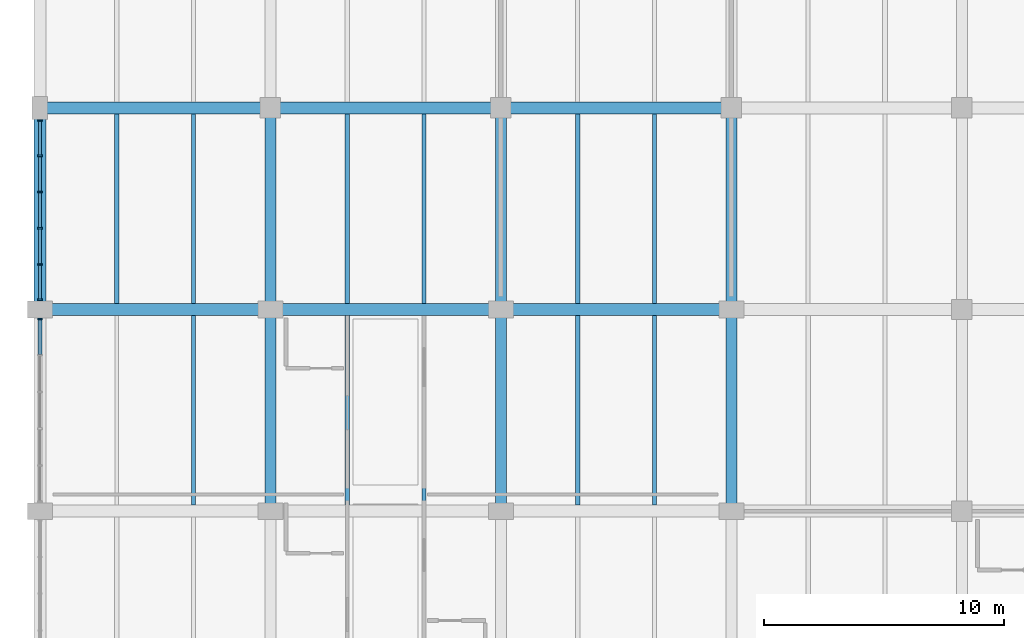
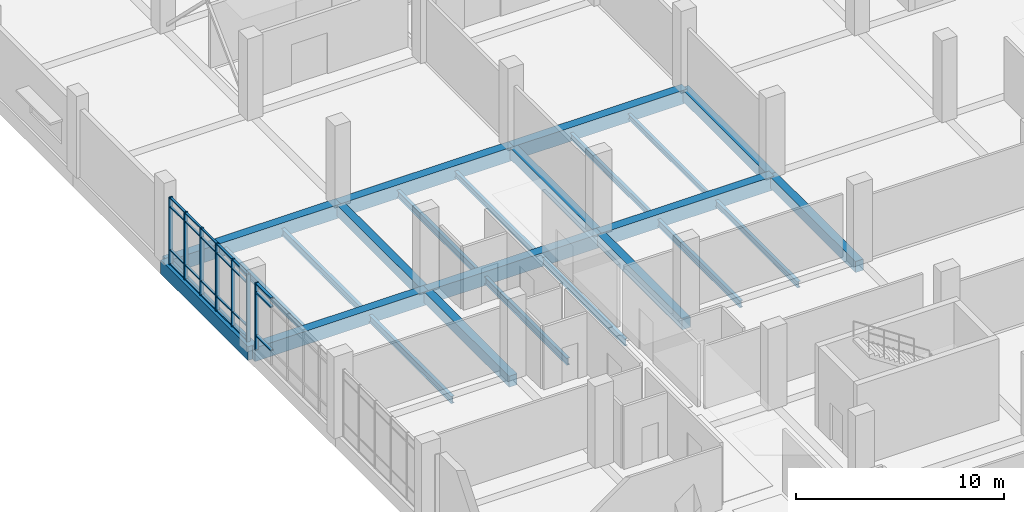
# One storey, part 26 of 152: 30 members, 24 beams, 2 elements without a shape of their own.
"""IFC4 building model written with IfcOpenShell, lengths in metres."""

from ifc_helpers import new_model, si_unit, direction, frame, origin, origin_2d, place, context, subcontext, project, spatial, rectangle, i_section, extrude, material, material_profile, profile_set, type_object, element, aggregate, save


model = new_model("IFC4")

# Units and contexts
model_context = context("Model", 3, precision=1e-05, world=origin(), true_north=direction((0.0, 1.0)))
body_context = subcontext(model_context, "Body", "Model", "MODEL_VIEW")
ifc_project = project(units=[si_unit("LENGTHUNIT", "METRE"), si_unit("AREAUNIT", "SQUARE_METRE"), si_unit("VOLUMEUNIT", "CUBIC_METRE"), si_unit("PLANEANGLEUNIT", "RADIAN"), si_unit("MASSUNIT", "GRAM", prefix="KILO")], contexts=[model_context])

# Site, building, storey
site_placement = place(None, origin())
site = spatial("IfcSite", under=ifc_project, at=site_placement, CompositionType="ELEMENT")
building_placement = place(site_placement, origin())
building = spatial("IfcBuilding", under=site, at=building_placement, Name="Oolite Switchyard Hospital", CompositionType="ELEMENT")
storey_placement = place(building_placement, frame((0.0, 0.0, 5.10009765625)))
storey = spatial("IfcBuildingStorey", under=building, at=storey_placement, Name="L01", CompositionType="ELEMENT", Elevation=5.10009765625)

# Beams
ifc_material_1 = material(Name="Concrete C40/50", Category="concrete")
ifc_material_profile_1 = material_profile(ifc_material_1, rectangle(XDim=0.449951171875, YDim=0.64990234375, at=origin_2d()), Name="RCB450X650")
ifc_profile_set_1 = profile_set([ifc_material_profile_1], Name="Concrete C40/50")
beam_type_1 = type_object("IfcBeamType", Name="BM-RC450X650", PredefinedType="BEAM", material=ifc_profile_set_1)
for number, where, z_axis, x_axis, name in (
    (1, (9.60009765625, 75.60009765625, -0.3251953125), (0.0, 1.0, 0.0), (-1.0, 0.0, 0.0), "L01 Y-Girder 311"),
    (2, (9.60009765625, 84.0, -0.3251953125), (0.0, 1.0, 0.0), (-1.0, 0.0, 0.0), "L01 Y-Girder 312"),
    (3, (19.199951171875, 75.60009765625, -0.3251953125), (0.0, 1.0, 0.0), (-1.0, 0.0, 0.0), "L01 Y-Girder 327"),
    (4, (19.199951171875, 84.0, -0.3251953125), (0.0, 1.0, 0.0), (-1.0, 0.0, 0.0), "L01 Y-Girder 328"),
    (5, (28.800048828125, 75.60009765625, -0.3251953125), (0.0, 1.0, 0.0), (-1.0, 0.0, 0.0), "L01 Y-Girder 343"),
    (6, (28.800048828125, 84.0, -0.3251953125), (0.0, 1.0, 0.0), (-1.0, 0.0, 0.0), "L01 Y-Girder 344"),
):
    element("IfcBeam", number, at=place(storey_placement, frame(where, z_axis=z_axis, x_axis=x_axis)), inside=storey, type_object=beam_type_1, Name=name, PredefinedType="BEAM", context=body_context, shape_type="SweptSolid", body=[
        extrude(rectangle(XDim=0.449951171875, YDim=0.64990234375, at=origin_2d()), origin(), (0.0, 0.0, 1.0), 8.39990234375),
    ])
ifc_material_profile_2 = material_profile(ifc_material_1, rectangle(XDim=0.5, YDim=0.800048828125, at=origin_2d()), Name="RCB500X800")
ifc_profile_set_2 = profile_set([ifc_material_profile_2], Name="Concrete C40/50")
beam_type_2 = type_object("IfcBeamType", Name="BM-RC500X800", PredefinedType="BEAM", material=ifc_profile_set_2)
beam_1_placement = place(storey_placement, frame((0.0, 84.0, -0.400146484375), z_axis=(1.0, 0.0, 0.0), x_axis=(0.0, 1.0, 0.0)))
element("IfcBeam", 7, at=beam_1_placement, inside=storey, type_object=beam_type_2, Name="L01 X-Girder 163", PredefinedType="BEAM", context=body_context, shape_type="SweptSolid", body=[
    extrude(rectangle(XDim=0.5, YDim=0.800048828125, at=origin_2d()), origin(), (0.0, 0.0, 1.0), 9.60009765625),
])
beam_2_placement = place(storey_placement, frame((9.60009765625, 84.0, -0.400146484375), z_axis=(1.0, 0.0, 0.0), x_axis=(0.0, 1.0, 0.0)))
element("IfcBeam", 8, at=beam_2_placement, inside=storey, type_object=beam_type_2, Name="L01 X-Girder 164", PredefinedType="BEAM", context=body_context, shape_type="SweptSolid", body=[
    extrude(rectangle(XDim=0.5, YDim=0.800048828125, at=origin_2d()), origin(), (0.0, 0.0, 1.0), 9.599853515625),
])
for number, where, z_axis, x_axis, name in (
    (9, (19.199951171875, 84.0, -0.400146484375), (1.0, 0.0, 0.0), (0.0, 1.0, 0.0), "L01 X-Girder 165"),
    (10, (0.0, 92.39990234375, -0.400146484375), (1.0, 0.0, 0.0), (0.0, 1.0, 0.0), "L01 X-Girder 181"),
):
    element("IfcBeam", number, at=place(storey_placement, frame(where, z_axis=z_axis, x_axis=x_axis)), inside=storey, type_object=beam_type_2, Name=name, PredefinedType="BEAM", context=body_context, shape_type="SweptSolid", body=[
        extrude(rectangle(XDim=0.5, YDim=0.800048828125, at=origin_2d()), origin(), (0.0, 0.0, 1.0), 9.60009765625),
    ])
beam_3_placement = place(storey_placement, frame((9.60009765625, 92.39990234375, -0.400146484375), z_axis=(1.0, 0.0, 0.0), x_axis=(0.0, 1.0, 0.0)))
element("IfcBeam", 11, at=beam_3_placement, inside=storey, type_object=beam_type_2, Name="L01 X-Girder 182", PredefinedType="BEAM", context=body_context, shape_type="SweptSolid", body=[
    extrude(rectangle(XDim=0.5, YDim=0.800048828125, at=origin_2d()), origin(), (0.0, 0.0, 1.0), 9.599853515625),
])
beam_4_placement = place(storey_placement, frame((19.199951171875, 92.39990234375, -0.400146484375), z_axis=(1.0, 0.0, 0.0), x_axis=(0.0, 1.0, 0.0)))
element("IfcBeam", 12, at=beam_4_placement, inside=storey, type_object=beam_type_2, Name="L01 X-Girder 183", PredefinedType="BEAM", context=body_context, shape_type="SweptSolid", body=[
    extrude(rectangle(XDim=0.5, YDim=0.800048828125, at=origin_2d()), origin(), (0.0, 0.0, 1.0), 9.60009765625),
])
beam_5_placement = place(storey_placement, frame((0.0, 84.0, -0.400146484375), z_axis=(0.0, 1.0, 0.0), x_axis=(-1.0, 0.0, 0.0)))
element("IfcBeam", 13, at=beam_5_placement, inside=storey, type_object=beam_type_2, Name="L01 Y-Girder 297", PredefinedType="BEAM", context=body_context, shape_type="SweptSolid", body=[
    extrude(rectangle(XDim=0.5, YDim=0.800048828125, at=origin_2d()), origin(), (0.0, 0.0, 1.0), 8.39990234375),
])
ifc_material_2 = material(Name="Steel ASTM A992 Grade 50", Category="steel")
ifc_material_profile_3 = material_profile(ifc_material_2, i_section(OverallWidth=0.1650390625, OverallDepth=0.31005859375, WebThickness=0.006103515625, FlangeThickness=0.010009765625, at=origin_2d()), Name="W12X26")
ifc_profile_set_3 = profile_set([ifc_material_profile_3], Name="Steel ASTM A992 Grade 50")
beam_type_3 = type_object("IfcBeamType", Name="BM-W12X26", PredefinedType="JOIST", material=ifc_profile_set_3)
beam_6_placement = place(storey_placement, frame((25.60009765625, 84.25, -0.455078125), z_axis=(0.0, 1.0, 0.0), x_axis=(-1.0, 0.0, 0.0)))
element("IfcBeam", 14, at=beam_6_placement, inside=storey, type_object=beam_type_3, Name="L01 Secondary Steel Joist 639", PredefinedType="JOIST", context=body_context, shape_type="SweptSolid", body=[
    extrude(i_section(OverallWidth=0.1650390625, OverallDepth=0.31005859375, WebThickness=0.006103515625, FlangeThickness=0.010009765625, at=origin_2d()), origin(), (0.0, 0.0, 1.0), 7.89990234375),
])
ifc_material_profile_4 = material_profile(ifc_material_2, i_section(OverallWidth=0.1708984375, OverallDepth=0.35107421875, WebThickness=0.007080078125, FlangeThickness=0.010009765625, at=origin_2d()), Name="W14X30")
ifc_profile_set_4 = profile_set([ifc_material_profile_4], Name="Steel ASTM A992 Grade 50")
beam_type_4 = type_object("IfcBeamType", Name="BM-W14X30", PredefinedType="JOIST", material=ifc_profile_set_4)
for number, where, z_axis, x_axis, name in (
    (15, (16.0, 84.25, -0.47607421875), (0.0, 1.0, 0.0), (-1.0, 0.0, 0.0), "L01 Secondary Steel Joist 611"),
    (16, (25.60009765625, 75.85009765625, -0.4501953125), (0.0, 1.0, 0.0), (-1.0, 0.0, 0.0), "L01 Secondary Steel Joist 637"),
    (17, (22.39990234375, 84.25, -0.47607421875), (0.0, 1.0, 0.0), (-1.0, 0.0, 0.0), "L01 Secondary Steel Joist 638"),
):
    element("IfcBeam", number, at=place(storey_placement, frame(where, z_axis=z_axis, x_axis=x_axis)), inside=storey, type_object=beam_type_4, Name=name, PredefinedType="JOIST", context=body_context, shape_type="SweptSolid", body=[
        extrude(i_section(OverallWidth=0.1708984375, OverallDepth=0.35107421875, WebThickness=0.007080078125, FlangeThickness=0.010009765625, at=origin_2d()), origin(), (0.0, 0.0, 1.0), 7.89990234375),
    ])
ifc_material_profile_5 = material_profile(ifc_material_2, i_section(OverallWidth=0.177978515625, OverallDepth=0.403076171875, WebThickness=0.008056640625, FlangeThickness=0.010986328125, at=origin_2d()), Name="W16X36")
ifc_profile_set_5 = profile_set([ifc_material_profile_5], Name="Steel ASTM A992 Grade 50")
beam_type_5 = type_object("IfcBeamType", Name="BM-W16X36", PredefinedType="JOIST", material=ifc_profile_set_5)
for number, where, z_axis, x_axis, name in (
    (18, (6.39990234375, 84.25, -0.502197265625), (0.0, 1.0, 0.0), (-1.0, 0.0, 0.0), "L01 Secondary Steel Joist 581"),
    (19, (16.0, 75.85009765625, -0.47705078125), (0.0, 1.0, 0.0), (-1.0, 0.0, 0.0), "L01 Secondary Steel Joist 609"),
    (20, (12.800048828125, 84.25, -0.502197265625), (0.0, 1.0, 0.0), (-1.0, 0.0, 0.0), "L01 Secondary Steel Joist 610"),
    (21, (22.39990234375, 75.85009765625, -0.47705078125), (0.0, 1.0, 0.0), (-1.0, 0.0, 0.0), "L01 Secondary Steel Joist 636"),
):
    element("IfcBeam", number, at=place(storey_placement, frame(where, z_axis=z_axis, x_axis=x_axis)), inside=storey, type_object=beam_type_5, Name=name, PredefinedType="JOIST", context=body_context, shape_type="SweptSolid", body=[
        extrude(i_section(OverallWidth=0.177978515625, OverallDepth=0.403076171875, WebThickness=0.008056640625, FlangeThickness=0.010986328125, at=origin_2d()), origin(), (0.0, 0.0, 1.0), 7.89990234375),
    ])
ifc_material_profile_6 = material_profile(ifc_material_2, i_section(OverallWidth=0.179931640625, OverallDepth=0.4130859375, WebThickness=0.010009765625, FlangeThickness=0.01611328125, at=origin_2d()), Name="W16X50")
ifc_profile_set_6 = profile_set([ifc_material_profile_6], Name="Steel ASTM A992 Grade 50")
beam_type_6 = type_object("IfcBeamType", Name="BM-W16X50", PredefinedType="JOIST", material=ifc_profile_set_6)
for number, where, z_axis, x_axis, name in (
    (22, (6.39990234375, 75.85009765625, -0.482177734375), (0.0, 1.0, 0.0), (-1.0, 0.0, 0.0), "L01 Secondary Steel Joist 579"),
    (23, (3.199951171875, 84.25, -0.506103515625), (0.0, 1.0, 0.0), (-1.0, 0.0, 0.0), "L01 Secondary Steel Joist 580"),
    (24, (12.800048828125, 75.85009765625, -0.482177734375), (0.0, 1.0, 0.0), (-1.0, 0.0, 0.0), "L01 Secondary Steel Joist 608"),
):
    element("IfcBeam", number, at=place(storey_placement, frame(where, z_axis=z_axis, x_axis=x_axis)), inside=storey, type_object=beam_type_6, Name=name, PredefinedType="JOIST", context=body_context, shape_type="SweptSolid", body=[
        extrude(i_section(OverallWidth=0.179931640625, OverallDepth=0.4130859375, WebThickness=0.010009765625, FlangeThickness=0.01611328125, at=origin_2d()), origin(), (0.0, 0.0, 1.0), 7.89990234375),
    ])

# Curtain wall, member
ifc_material_3 = material(Name="Thermally broken aluminum frame with laminated impact glazing", Category="aluminium")
curtain_wall_type = type_object("IfcCurtainWallType", Name="CW-UNIT-84X48", PredefinedType="USERDEFINED", material=ifc_material_3)
curtain_wall_1_placement = place(storey_placement, origin())
curtain_wall_1 = element("IfcCurtainWall", 25, at=curtain_wall_1_placement, inside=storey, type_object=curtain_wall_type, Name="L01 Unitised Curtain Wall 165", ObjectType="UNITISED", PredefinedType="USERDEFINED")
ifc_material_4 = material(Name="Aluminium 6063-T6", Category="aluminium")
ifc_material_profile_7 = material_profile(ifc_material_4, rectangle(XDim=0.179931640625, YDim=0.070068359375, at=origin_2d()), Name="CWM70X180")
ifc_profile_set_7 = profile_set([ifc_material_profile_7], Name="Aluminium 6063-T6")
member_type_1 = type_object("IfcMemberType", Name="CW-MUL-220", PredefinedType="MULLION", material=ifc_profile_set_7)
member_1_placement = place(storey_placement, frame((0.0, 83.60009765625, 0.0), z_axis=(0.0, 0.0, 1.0), x_axis=(-1.0, 0.0, 0.0)))
member_1 = element("IfcMember", 26, at=member_1_placement, type_object=member_type_1, Name="CW-07 mullion 6", PredefinedType="MULLION", context=body_context, shape_type="SweptSolid", body=[
    extrude(rectangle(XDim=0.179931640625, YDim=0.070068359375, at=origin_2d()), origin(), (0.0, 0.0, 1.0), 3.93994140625),
])

# Curtain wall, members
curtain_wall_2_placement = place(storey_placement, origin())
curtain_wall_2 = element("IfcCurtainWall", 27, at=curtain_wall_2_placement, inside=storey, type_object=curtain_wall_type, Name="L01 Unitised Curtain Wall 166", ObjectType="UNITISED", PredefinedType="USERDEFINED")
ifc_material_profile_8 = material_profile(ifc_material_4, rectangle(XDim=0.199951171875, YDim=0.074951171875, at=origin_2d()), Name="CWM75X200")
ifc_profile_set_8 = profile_set([ifc_material_profile_8], Name="Aluminium 6063-T6")
member_type_2 = type_object("IfcMemberType", Name="CW-MUL-260", PredefinedType="MULLION", material=ifc_profile_set_8)
member_2_placement = place(storey_placement, frame((0.0, 84.402587890625, 0.0), z_axis=(0.0, 0.0, 1.0), x_axis=(-1.0, 0.0, 0.0)))
member_2 = element("IfcMember", 28, at=member_2_placement, type_object=member_type_2, Name="CW-07 mullion 1", PredefinedType="MULLION", context=body_context, shape_type="SweptSolid", body=[
    extrude(rectangle(XDim=0.199951171875, YDim=0.074951171875, at=origin_2d()), origin(), (0.0, 0.0, 1.0), 3.93994140625),
])
member_3_placement = place(storey_placement, frame((0.0, 85.8740234375, 0.0), z_axis=(0.0, 0.0, 1.0), x_axis=(-1.0, 0.0, 0.0)))
member_3 = element("IfcMember", 29, at=member_3_placement, type_object=member_type_2, Name="CW-07 mullion 2", PredefinedType="MULLION", context=body_context, shape_type="SweptSolid", body=[
    extrude(rectangle(XDim=0.199951171875, YDim=0.074951171875, at=origin_2d()), origin(), (0.0, 0.0, 1.0), 3.93994140625),
])
member_4_placement = place(storey_placement, frame((0.0, 87.383056640625, 0.0), z_axis=(0.0, 0.0, 1.0), x_axis=(-1.0, 0.0, 0.0)))
member_4 = element("IfcMember", 30, at=member_4_placement, type_object=member_type_2, Name="CW-07 mullion 3", PredefinedType="MULLION", context=body_context, shape_type="SweptSolid", body=[
    extrude(rectangle(XDim=0.199951171875, YDim=0.074951171875, at=origin_2d()), origin(), (0.0, 0.0, 1.0), 3.93994140625),
])
member_5_placement = place(storey_placement, frame((0.0, 88.89208984375, 0.0), z_axis=(0.0, 0.0, 1.0), x_axis=(-1.0, 0.0, 0.0)))
member_5 = element("IfcMember", 31, at=member_5_placement, type_object=member_type_2, Name="CW-07 mullion 4", PredefinedType="MULLION", context=body_context, shape_type="SweptSolid", body=[
    extrude(rectangle(XDim=0.199951171875, YDim=0.074951171875, at=origin_2d()), origin(), (0.0, 0.0, 1.0), 3.93994140625),
])
member_6_placement = place(storey_placement, frame((0.0, 90.40087890625, 0.0), z_axis=(0.0, 0.0, 1.0), x_axis=(-1.0, 0.0, 0.0)))
member_6 = element("IfcMember", 32, at=member_6_placement, type_object=member_type_2, Name="CW-07 mullion 5", PredefinedType="MULLION", context=body_context, shape_type="SweptSolid", body=[
    extrude(rectangle(XDim=0.199951171875, YDim=0.074951171875, at=origin_2d()), origin(), (0.0, 0.0, 1.0), 3.93994140625),
])
member_7_placement = place(storey_placement, frame((0.0, 91.87255859375, 0.0), z_axis=(0.0, 0.0, 1.0), x_axis=(-1.0, 0.0, 0.0)))
member_7 = element("IfcMember", 33, at=member_7_placement, type_object=member_type_2, Name="CW-07 mullion 6", PredefinedType="MULLION", context=body_context, shape_type="SweptSolid", body=[
    extrude(rectangle(XDim=0.199951171875, YDim=0.074951171875, at=origin_2d()), origin(), (0.0, 0.0, 1.0), 3.93994140625),
])
ifc_material_profile_9 = material_profile(ifc_material_4, rectangle(XDim=0.1201171875, YDim=0.06005859375, at=origin_2d()), Name="CWT60X120")
ifc_profile_set_9 = profile_set([ifc_material_profile_9], Name="Aluminium 6063-T6")
member_type_3 = type_object("IfcMemberType", Name="CW-TRN-150", PredefinedType="USERDEFINED", material=ifc_profile_set_9)
member_8_placement = place(storey_placement, frame((0.0, 84.43994140625, 0.02978515625), z_axis=(0.0, 1.0, 0.0), x_axis=(-1.0, 0.0, 0.0)))
member_8 = element("IfcMember", 34, at=member_8_placement, type_object=member_type_3, Name="CW-07 transom 1.1", ObjectType="TRANSOM", PredefinedType="USERDEFINED", context=body_context, shape_type="SweptSolid", body=[
    extrude(rectangle(XDim=0.1201171875, YDim=0.06005859375, at=origin_2d()), origin(), (0.0, 0.0, 1.0), 1.396484375),
])
member_9_placement = place(storey_placement, frame((0.0, 84.43994140625, 0.849853515625), z_axis=(0.0, 1.0, 0.0), x_axis=(-1.0, 0.0, 0.0)))
member_9 = element("IfcMember", 35, at=member_9_placement, type_object=member_type_3, Name="CW-07 transom 1.2", ObjectType="TRANSOM", PredefinedType="USERDEFINED", context=body_context, shape_type="SweptSolid", body=[
    extrude(rectangle(XDim=0.1201171875, YDim=0.06005859375, at=origin_2d()), origin(), (0.0, 0.0, 1.0), 1.396484375),
])
member_10_placement = place(storey_placement, frame((0.0, 84.43994140625, 3.389892578125), z_axis=(0.0, 1.0, 0.0), x_axis=(-1.0, 0.0, 0.0)))
member_10 = element("IfcMember", 36, at=member_10_placement, type_object=member_type_3, Name="CW-07 transom 1.3", ObjectType="TRANSOM", PredefinedType="USERDEFINED", context=body_context, shape_type="SweptSolid", body=[
    extrude(rectangle(XDim=0.1201171875, YDim=0.06005859375, at=origin_2d()), origin(), (0.0, 0.0, 1.0), 1.396484375),
])
member_11_placement = place(storey_placement, frame((0.0, 84.43994140625, 3.909912109375), z_axis=(0.0, 1.0, 0.0), x_axis=(-1.0, 0.0, 0.0)))
member_11 = element("IfcMember", 37, at=member_11_placement, type_object=member_type_3, Name="CW-07 transom 1.4", ObjectType="TRANSOM", PredefinedType="USERDEFINED", context=body_context, shape_type="SweptSolid", body=[
    extrude(rectangle(XDim=0.1201171875, YDim=0.06005859375, at=origin_2d()), origin(), (0.0, 0.0, 1.0), 1.396484375),
])
member_12_placement = place(storey_placement, frame((0.0, 85.91162109375, 0.02978515625), z_axis=(0.0, 1.0, 0.0), x_axis=(-1.0, 0.0, 0.0)))
member_12 = element("IfcMember", 38, at=member_12_placement, type_object=member_type_3, Name="CW-07 transom 2.1", ObjectType="TRANSOM", PredefinedType="USERDEFINED", context=body_context, shape_type="SweptSolid", body=[
    extrude(rectangle(XDim=0.1201171875, YDim=0.06005859375, at=origin_2d()), origin(), (0.0, 0.0, 1.0), 1.433837890625),
])
member_13_placement = place(storey_placement, frame((0.0, 85.91162109375, 0.849853515625), z_axis=(0.0, 1.0, 0.0), x_axis=(-1.0, 0.0, 0.0)))
member_13 = element("IfcMember", 39, at=member_13_placement, type_object=member_type_3, Name="CW-07 transom 2.2", ObjectType="TRANSOM", PredefinedType="USERDEFINED", context=body_context, shape_type="SweptSolid", body=[
    extrude(rectangle(XDim=0.1201171875, YDim=0.06005859375, at=origin_2d()), origin(), (0.0, 0.0, 1.0), 1.433837890625),
])
member_14_placement = place(storey_placement, frame((0.0, 85.91162109375, 3.389892578125), z_axis=(0.0, 1.0, 0.0), x_axis=(-1.0, 0.0, 0.0)))
member_14 = element("IfcMember", 40, at=member_14_placement, type_object=member_type_3, Name="CW-07 transom 2.3", ObjectType="TRANSOM", PredefinedType="USERDEFINED", context=body_context, shape_type="SweptSolid", body=[
    extrude(rectangle(XDim=0.1201171875, YDim=0.06005859375, at=origin_2d()), origin(), (0.0, 0.0, 1.0), 1.433837890625),
])
member_15_placement = place(storey_placement, frame((0.0, 85.91162109375, 3.909912109375), z_axis=(0.0, 1.0, 0.0), x_axis=(-1.0, 0.0, 0.0)))
member_15 = element("IfcMember", 41, at=member_15_placement, type_object=member_type_3, Name="CW-07 transom 2.4", ObjectType="TRANSOM", PredefinedType="USERDEFINED", context=body_context, shape_type="SweptSolid", body=[
    extrude(rectangle(XDim=0.1201171875, YDim=0.06005859375, at=origin_2d()), origin(), (0.0, 0.0, 1.0), 1.433837890625),
])
member_16_placement = place(storey_placement, frame((0.0, 87.42041015625, 0.02978515625), z_axis=(0.0, 1.0, 0.0), x_axis=(-1.0, 0.0, 0.0)))
member_16 = element("IfcMember", 42, at=member_16_placement, type_object=member_type_3, Name="CW-07 transom 3.1", ObjectType="TRANSOM", PredefinedType="USERDEFINED", context=body_context, shape_type="SweptSolid", body=[
    extrude(rectangle(XDim=0.1201171875, YDim=0.06005859375, at=origin_2d()), origin(), (0.0, 0.0, 1.0), 1.43408203125),
])
member_17_placement = place(storey_placement, frame((0.0, 87.42041015625, 0.849853515625), z_axis=(0.0, 1.0, 0.0), x_axis=(-1.0, 0.0, 0.0)))
member_17 = element("IfcMember", 43, at=member_17_placement, type_object=member_type_3, Name="CW-07 transom 3.2", ObjectType="TRANSOM", PredefinedType="USERDEFINED", context=body_context, shape_type="SweptSolid", body=[
    extrude(rectangle(XDim=0.1201171875, YDim=0.06005859375, at=origin_2d()), origin(), (0.0, 0.0, 1.0), 1.43408203125),
])
member_18_placement = place(storey_placement, frame((0.0, 87.42041015625, 3.389892578125), z_axis=(0.0, 1.0, 0.0), x_axis=(-1.0, 0.0, 0.0)))
member_18 = element("IfcMember", 44, at=member_18_placement, type_object=member_type_3, Name="CW-07 transom 3.3", ObjectType="TRANSOM", PredefinedType="USERDEFINED", context=body_context, shape_type="SweptSolid", body=[
    extrude(rectangle(XDim=0.1201171875, YDim=0.06005859375, at=origin_2d()), origin(), (0.0, 0.0, 1.0), 1.43408203125),
])
member_19_placement = place(storey_placement, frame((0.0, 87.42041015625, 3.909912109375), z_axis=(0.0, 1.0, 0.0), x_axis=(-1.0, 0.0, 0.0)))
member_19 = element("IfcMember", 45, at=member_19_placement, type_object=member_type_3, Name="CW-07 transom 3.4", ObjectType="TRANSOM", PredefinedType="USERDEFINED", context=body_context, shape_type="SweptSolid", body=[
    extrude(rectangle(XDim=0.1201171875, YDim=0.06005859375, at=origin_2d()), origin(), (0.0, 0.0, 1.0), 1.43408203125),
])
member_20_placement = place(storey_placement, frame((0.0, 88.929443359375, 0.02978515625), z_axis=(0.0, 1.0, 0.0), x_axis=(-1.0, 0.0, 0.0)))
member_20 = element("IfcMember", 46, at=member_20_placement, type_object=member_type_3, Name="CW-07 transom 4.1", ObjectType="TRANSOM", PredefinedType="USERDEFINED", context=body_context, shape_type="SweptSolid", body=[
    extrude(rectangle(XDim=0.1201171875, YDim=0.06005859375, at=origin_2d()), origin(), (0.0, 0.0, 1.0), 1.43408203125),
])
member_21_placement = place(storey_placement, frame((0.0, 88.929443359375, 0.849853515625), z_axis=(0.0, 1.0, 0.0), x_axis=(-1.0, 0.0, 0.0)))
member_21 = element("IfcMember", 47, at=member_21_placement, type_object=member_type_3, Name="CW-07 transom 4.2", ObjectType="TRANSOM", PredefinedType="USERDEFINED", context=body_context, shape_type="SweptSolid", body=[
    extrude(rectangle(XDim=0.1201171875, YDim=0.06005859375, at=origin_2d()), origin(), (0.0, 0.0, 1.0), 1.43408203125),
])
member_22_placement = place(storey_placement, frame((0.0, 88.929443359375, 3.389892578125), z_axis=(0.0, 1.0, 0.0), x_axis=(-1.0, 0.0, 0.0)))
member_22 = element("IfcMember", 48, at=member_22_placement, type_object=member_type_3, Name="CW-07 transom 4.3", ObjectType="TRANSOM", PredefinedType="USERDEFINED", context=body_context, shape_type="SweptSolid", body=[
    extrude(rectangle(XDim=0.1201171875, YDim=0.06005859375, at=origin_2d()), origin(), (0.0, 0.0, 1.0), 1.43408203125),
])
member_23_placement = place(storey_placement, frame((0.0, 88.929443359375, 3.909912109375), z_axis=(0.0, 1.0, 0.0), x_axis=(-1.0, 0.0, 0.0)))
member_23 = element("IfcMember", 49, at=member_23_placement, type_object=member_type_3, Name="CW-07 transom 4.4", ObjectType="TRANSOM", PredefinedType="USERDEFINED", context=body_context, shape_type="SweptSolid", body=[
    extrude(rectangle(XDim=0.1201171875, YDim=0.06005859375, at=origin_2d()), origin(), (0.0, 0.0, 1.0), 1.43408203125),
])
member_24_placement = place(storey_placement, frame((0.0, 90.4384765625, 0.02978515625), z_axis=(0.0, 1.0, 0.0), x_axis=(-1.0, 0.0, 0.0)))
member_24 = element("IfcMember", 50, at=member_24_placement, type_object=member_type_3, Name="CW-07 transom 5.1", ObjectType="TRANSOM", PredefinedType="USERDEFINED", context=body_context, shape_type="SweptSolid", body=[
    extrude(rectangle(XDim=0.1201171875, YDim=0.06005859375, at=origin_2d()), origin(), (0.0, 0.0, 1.0), 1.396484375),
])
member_25_placement = place(storey_placement, frame((0.0, 90.4384765625, 0.849853515625), z_axis=(0.0, 1.0, 0.0), x_axis=(-1.0, 0.0, 0.0)))
member_25 = element("IfcMember", 51, at=member_25_placement, type_object=member_type_3, Name="CW-07 transom 5.2", ObjectType="TRANSOM", PredefinedType="USERDEFINED", context=body_context, shape_type="SweptSolid", body=[
    extrude(rectangle(XDim=0.1201171875, YDim=0.06005859375, at=origin_2d()), origin(), (0.0, 0.0, 1.0), 1.396484375),
])
member_26_placement = place(storey_placement, frame((0.0, 90.4384765625, 3.389892578125), z_axis=(0.0, 1.0, 0.0), x_axis=(-1.0, 0.0, 0.0)))
member_26 = element("IfcMember", 52, at=member_26_placement, type_object=member_type_3, Name="CW-07 transom 5.3", ObjectType="TRANSOM", PredefinedType="USERDEFINED", context=body_context, shape_type="SweptSolid", body=[
    extrude(rectangle(XDim=0.1201171875, YDim=0.06005859375, at=origin_2d()), origin(), (0.0, 0.0, 1.0), 1.396484375),
])
member_27_placement = place(storey_placement, frame((0.0, 90.4384765625, 3.909912109375), z_axis=(0.0, 1.0, 0.0), x_axis=(-1.0, 0.0, 0.0)))
member_27 = element("IfcMember", 53, at=member_27_placement, type_object=member_type_3, Name="CW-07 transom 5.4", ObjectType="TRANSOM", PredefinedType="USERDEFINED", context=body_context, shape_type="SweptSolid", body=[
    extrude(rectangle(XDim=0.1201171875, YDim=0.06005859375, at=origin_2d()), origin(), (0.0, 0.0, 1.0), 1.396484375),
])
aggregate(curtain_wall_2, [member_2, member_3, member_4, member_5, member_6, member_7, member_8, member_9, member_10, member_11, member_12, member_13, member_14, member_15, member_16, member_17, member_18, member_19, member_20, member_21, member_22, member_23, member_24, member_25, member_26, member_27])

# Member
ifc_material_profile_10 = material_profile(ifc_material_4, rectangle(XDim=0.159912109375, YDim=0.074951171875, at=origin_2d()), Name="CWT75X160")
ifc_profile_set_10 = profile_set([ifc_material_profile_10], Name="Aluminium 6063-T6")
member_type_4 = type_object("IfcMemberType", Name="CW-TRN-180", PredefinedType="USERDEFINED", material=ifc_profile_set_10)
member_28_placement = place(storey_placement, frame((0.0, 82.135986328125, 0.849853515625), z_axis=(0.0, 1.0, 0.0), x_axis=(-1.0, 0.0, 0.0)))
member_28 = element("IfcMember", 54, at=member_28_placement, type_object=member_type_4, Name="CW-07 transom 5.2", ObjectType="TRANSOM", PredefinedType="USERDEFINED", context=body_context, shape_type="SweptSolid", body=[
    extrude(rectangle(XDim=0.159912109375, YDim=0.074951171875, at=origin_2d()), origin(), (0.0, 0.0, 1.0), 1.428955078125),
])

member_29_placement = place(storey_placement, frame((0.0, 82.135986328125, 3.389892578125), z_axis=(0.0, 1.0, 0.0), x_axis=(-1.0, 0.0, 0.0)))
member_29 = element("IfcMember", 55, at=member_29_placement, type_object=member_type_4, Name="CW-07 transom 5.3", ObjectType="TRANSOM", PredefinedType="USERDEFINED", context=body_context, shape_type="SweptSolid", body=[
    extrude(rectangle(XDim=0.159912109375, YDim=0.074951171875, at=origin_2d()), origin(), (0.0, 0.0, 1.0), 1.428955078125),
])

member_30_placement = place(storey_placement, frame((0.0, 82.135986328125, 3.90234375), z_axis=(0.0, 1.0, 0.0), x_axis=(-1.0, 0.0, 0.0)))
member_30 = element("IfcMember", 56, at=member_30_placement, type_object=member_type_4, Name="CW-07 transom 5.4", ObjectType="TRANSOM", PredefinedType="USERDEFINED", context=body_context, shape_type="SweptSolid", body=[
    extrude(rectangle(XDim=0.159912109375, YDim=0.074951171875, at=origin_2d()), origin(), (0.0, 0.0, 1.0), 1.428955078125),
])

aggregate(curtain_wall_1, [member_1, member_28, member_29, member_30])

save(model, "model.ifc")
